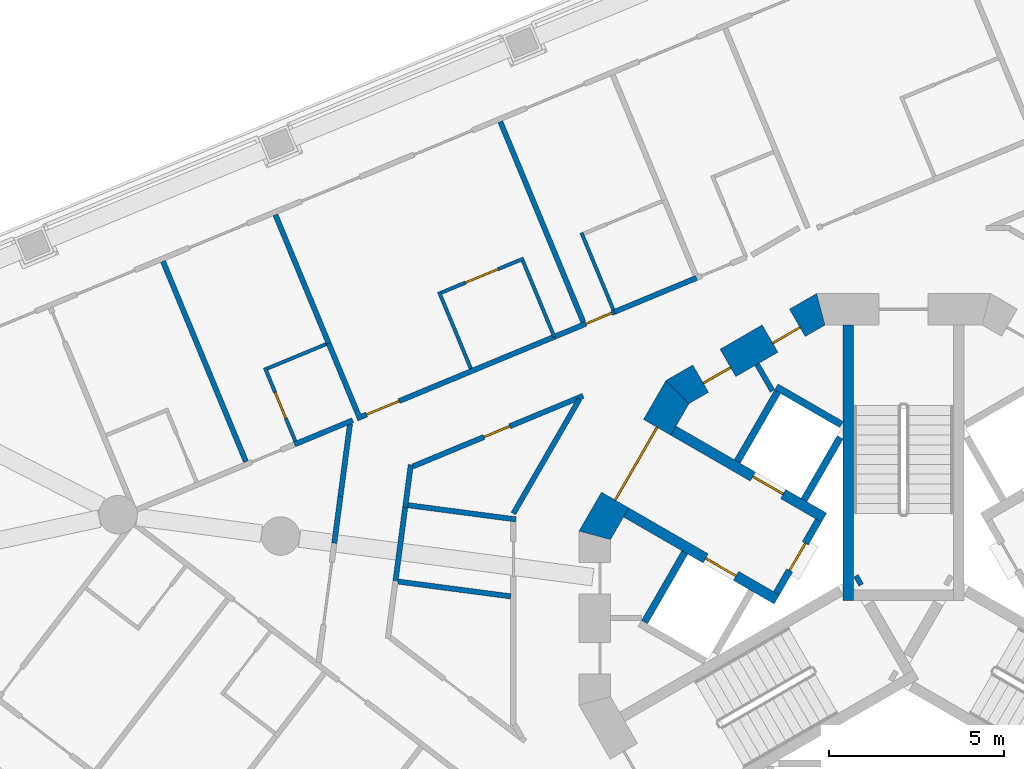
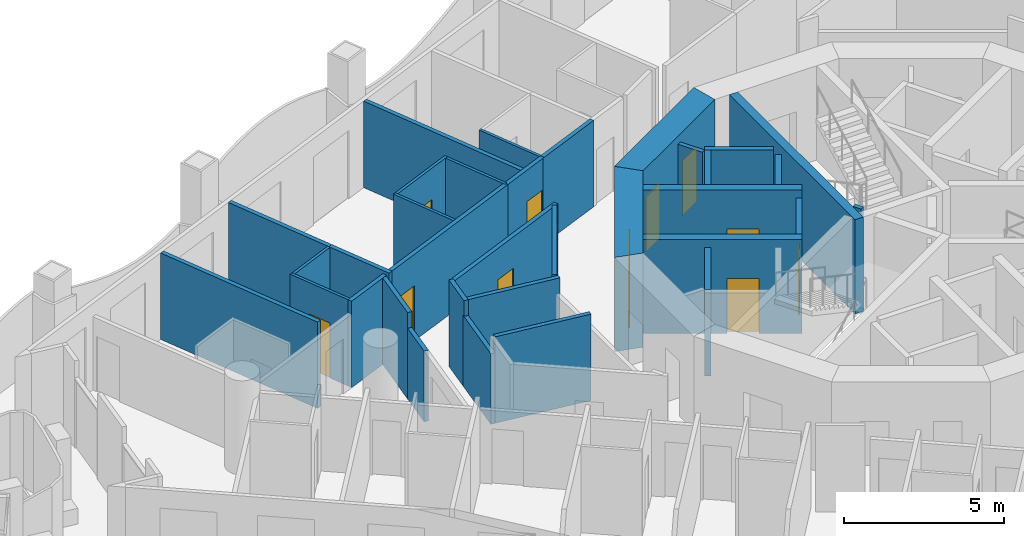
# One storey, part 7 of 18: 34 walls, 11 doors, 11 openings.
"""IFC4 building model written with IfcOpenShell, lengths in metres."""

from ifc_helpers import new_model, si_unit, direction, frame, frame_2d, origin, place, context, subcontext, project, spatial, polyline, rectangle, outline, extrude, material, layer, layer_set, type_object, element, fill, save


model = new_model("IFC4")

# Units and contexts
model_context = context("Model", 3, precision=1e-05, world=origin(), true_north=direction((0.0, 1.0)))
body_context = subcontext(model_context, "Body", "Model", "MODEL_VIEW")
ifc_project = project(units=[si_unit("LENGTHUNIT", "METRE"), si_unit("AREAUNIT", "SQUARE_METRE"), si_unit("VOLUMEUNIT", "CUBIC_METRE"), si_unit("PLANEANGLEUNIT", "RADIAN"), si_unit("MASSUNIT", "GRAM", prefix="KILO")], contexts=[model_context])

# Site, building, storey
site_placement = place(None, origin())
site = spatial("IfcSite", under=ifc_project, at=site_placement, CompositionType="ELEMENT")
building_placement = place(site_placement, origin())
building = spatial("IfcBuilding", under=site, at=building_placement, Name="Trine Commons Tower", CompositionType="ELEMENT")
storey_placement = place(building_placement, frame((0.0, 0.0, 145.800048828125)))
storey = spatial("IfcBuildingStorey", under=building, at=storey_placement, Name="L37", CompositionType="ELEMENT", Elevation=145.800048828125)

# Wall
ifc_material_1 = material(Name="Plasterboard partition on steel studs", Category="steel")
ifc_layer_1 = layer(ifc_material_1, 0.14990234375)
ifc_layer_set_1 = layer_set([ifc_layer_1], Name="Plasterboard partition on steel studs")
wall_type_1 = type_object("IfcWallType", Name="Core room partition 150 mm, EI 60", PredefinedType="PARTITIONING", material=ifc_layer_set_1)
wall_1_placement = place(storey_placement, frame((75.81396484375, 69.7509765625, 0.0), z_axis=(0.0, 0.0, 1.0), x_axis=(0.499890179513, -0.866088799389, 0.0)))
element("IfcWall", 1, at=wall_1_placement, inside=storey, type_object=wall_type_1, Name="Core room partition L37", PredefinedType="PARTITIONING", context=body_context, shape_type="SweptSolid", body=[
    extrude(rectangle(XDim=0.882080078125, YDim=0.14990234375, at=frame_2d((0.44091796875, 0.0))), origin(), (0.0, 0.0, 1.0), 3.300048828125),
])

# Wall, opening, door
ifc_material_2 = material(Name="Fire-rated gypsum shaft wall system")
ifc_layer_2 = layer(ifc_material_2, 0.199951171875)
ifc_layer_set_2 = layer_set([ifc_layer_2], Name="Fire-rated gypsum shaft wall system")
wall_type_2 = type_object("IfcWallType", Name="Lobby end wall 200 mm, EI 120", PredefinedType="PARTITIONING", material=ifc_layer_set_2)
wall_2_placement = place(storey_placement, frame((77.569091796875, 65.2890625, 0.0), z_axis=(0.0, 0.0, 1.0), x_axis=(-0.50012165622, -0.865955154139, 0.0)))
wall_2 = element("IfcWall", 2, at=wall_2_placement, inside=storey, type_object=wall_type_2, Name="Lobby end wall L37", PredefinedType="PARTITIONING", context=body_context, shape_type="SweptSolid", body=[
    extrude(rectangle(XDim=2.39990234375, YDim=0.199951171875, at=frame_2d((1.199951171875, 0.0))), origin(), (0.0, 0.0, 1.0), 3.300048828125),
])
opening_1_placement = place(wall_2_placement, frame((0.749755859375, 0.0, 0.0)))
opening_1 = element("IfcOpeningElement", 3, at=opening_1_placement, cuts=wall_2, Name="Opening K12.07", PredefinedType="OPENING", context=body_context, shape_type="SweptSolid", body=[
    extrude(rectangle(XDim=0.89990234375, YDim=2.10009765625, at=frame_2d((0.449951171875, 1.050048828125))), frame((0.0, 0.10986328125, 0.0), z_axis=(0.0, -1.0, 0.0), x_axis=(1.0, 0.0, 0.0)), (0.0, 0.0, 1.0), 0.219970703125),
])
ifc_material_3 = material(Name="Steel door leaf, fire-rated", Category="steel")
door_type_1 = type_object("IfcDoorType", Name="Riser access door, single leaf 900 x 2100, FD60", OperationType="SINGLE_SWING_LEFT", PredefinedType="DOOR", material=ifc_material_3)
door_1_placement = place(opening_1_placement, frame((0.89990234375, 0.0, 0.0), z_axis=(0.0, 0.0, 1.0), x_axis=(-1.0, 0.0, 0.0)))
door_1 = element("IfcDoor", 4, at=door_1_placement, inside=storey, type_object=door_type_1, Name="Riser door, Mechanical riser L37", OperationType="SINGLE_SWING_RIGHT", OverallHeight=2.10009765625, OverallWidth=0.89990234375, PredefinedType="DOOR", context=body_context, shape_type="SweptSolid", body=[
    extrude(rectangle(XDim=0.89990234375, YDim=2.10009765625, at=frame_2d((0.449951171875, 1.050048828125))), frame((0.0, 0.02490234375, 0.0), z_axis=(0.0, -1.0, 0.0), x_axis=(1.0, 0.0, 0.0)), (0.0, 0.0, 1.0), 0.050048828125),
])
fill(opening_1, door_1)

ifc_material_4 = material(Name="Concrete C70/85", Category="concrete")
ifc_layer_3 = layer(ifc_material_4, 0.300048828125)
ifc_layer_set_3 = layer_set([ifc_layer_3], Name="Concrete C70/85")
wall_type_3 = type_object("IfcWallType", Name="RC shear wall 300 mm, C70/85", PredefinedType="SHEAR", material=ifc_layer_set_3)
wall_3_placement = place(storey_placement, frame((76.381103515625, 63.031005859375, 0.0), z_axis=(0.0, 0.0, 1.0), x_axis=(-0.866080953719, 0.499903772346, 0.0)))
wall_3 = element("IfcWall", 5, at=wall_3_placement, inside=storey, type_object=wall_type_3, Name="Core cross wall SWB-01 L37", PredefinedType="SHEAR", context=body_context, shape_type="SweptSolid", body=[
    extrude(rectangle(XDim=4.97314453125, YDim=0.300048828125, at=frame_2d((2.486572265625, 0.0))), origin(), (0.0, 0.0, 1.0), 3.599853515625),
])
opening_2_placement = place(wall_3_placement, frame((1.350341796875, 0.0, 0.0)))
opening_2 = element("IfcOpeningElement", 6, at=opening_2_placement, cuts=wall_3, Name="Opening LD7", PredefinedType="OPENING", context=body_context, shape_type="SweptSolid", body=[
    extrude(rectangle(XDim=1.0, YDim=2.10009765625, at=frame_2d((0.5, 1.050048828125))), frame((0.0, 0.159912109375, 0.0), z_axis=(0.0, -1.0, 0.0), x_axis=(1.0, 0.0, 0.0)), (0.0, 0.0, 1.0), 0.320068359375),
])
ifc_material_5 = material(Name="Stainless steel sliding door leaves", Category="steel")
door_type_2 = type_object("IfcDoorType", Name="Lift landing door, centre-opening sliding 1000 x 2100, FD90", OperationType="DOUBLE_DOOR_SLIDING", PredefinedType="DOOR", material=ifc_material_5)
door_2_placement = place(opening_2_placement, origin())
door_2 = element("IfcDoor", 7, at=door_2_placement, inside=storey, type_object=door_type_2, Name="Lift landing door HR3 L37", OperationType="DOUBLE_DOOR_SLIDING", OverallHeight=2.10009765625, OverallWidth=1.0, PredefinedType="DOOR", context=body_context, shape_type="SweptSolid", body=[
    extrude(rectangle(XDim=1.0, YDim=2.10009765625, at=frame_2d((0.5, 1.050048828125))), frame((0.0, 0.02490234375, 0.0), z_axis=(0.0, -1.0, 0.0), x_axis=(1.0, 0.0, 0.0)), (0.0, 0.0, 1.0), 0.050048828125),
])
fill(opening_2, door_2)

wall_4_placement = place(storey_placement, frame((77.73095703125, 65.368896484375, 0.0), z_axis=(0.0, 0.0, 1.0), x_axis=(-0.865983655544, 0.500072303102, 0.0)))
wall_4 = element("IfcWall", 8, at=wall_4_placement, inside=storey, type_object=wall_type_3, Name="Core cross wall SWB-02 L37", PredefinedType="SHEAR", context=body_context, shape_type="SweptSolid", body=[
    extrude(rectangle(XDim=4.973388671875, YDim=0.300048828125, at=frame_2d((2.48681640625, 0.0))), origin(), (0.0, 0.0, 1.0), 3.599853515625),
])
opening_3_placement = place(wall_4_placement, frame((1.3505859375, 0.0, 0.0)))
opening_3 = element("IfcOpeningElement", 9, at=opening_3_placement, cuts=wall_4, Name="Opening LD8", PredefinedType="OPENING", context=body_context, shape_type="SweptSolid", body=[
    extrude(rectangle(XDim=1.0, YDim=2.10009765625, at=frame_2d((0.5, 1.050048828125))), frame((0.0, 0.159912109375, 0.0), z_axis=(0.0, -1.0, 0.0), x_axis=(1.0, 0.0, 0.0)), (0.0, 0.0, 1.0), 0.320068359375),
])
door_3_placement = place(opening_3_placement, origin())
door_3 = element("IfcDoor", 10, at=door_3_placement, inside=storey, type_object=door_type_2, Name="Lift landing door HR4 L37", OperationType="DOUBLE_DOOR_SLIDING", OverallHeight=2.10009765625, OverallWidth=1.0, PredefinedType="DOOR", context=body_context, shape_type="SweptSolid", body=[
    extrude(rectangle(XDim=1.0, YDim=2.10009765625, at=frame_2d((0.5, 1.050048828125))), frame((0.0, 0.02490234375, 0.0), z_axis=(0.0, -1.0, 0.0), x_axis=(1.0, 0.0, 0.0)), (0.0, 0.0, 1.0), 0.050048828125),
])
fill(opening_3, door_3)

# Walls
wall_5_placement = place(storey_placement, frame((78.425048828125, 63.0009765625, 0.0), z_axis=(0.0, 0.0, 1.0), x_axis=(0.0, 1.0, 0.0)))
element("IfcWall", 11, at=wall_5_placement, inside=storey, type_object=wall_type_3, Name="Core cross wall SWB-08 L37", PredefinedType="SHEAR", context=body_context, shape_type="SweptSolid", body=[
    extrude(rectangle(XDim=7.8720703125, YDim=0.300048828125, at=frame_2d((3.93603515625, 0.0))), origin(), (0.0, 0.0, 1.0), 3.599853515625),
])
wall_6_placement = place(storey_placement, frame((78.779052734375, 63.614013671875, 0.0), z_axis=(0.0, 0.0, 1.0), x_axis=(-0.867737973955, -0.497021939713, 0.0)))
element("IfcWall", 12, at=wall_6_placement, inside=storey, type_object=wall_type_3, Name="Core cross wall SWB-09 L37", PredefinedType="SHEAR", context=body_context, shape_type="SweptSolid", body=[
    extrude(rectangle(XDim=0.14892578125, YDim=0.300048828125, at=frame_2d((0.074462890625, 0.0))), origin(), (0.0, 0.0, 1.0), 3.599853515625),
])

# Wall, openings, doors
ifc_layer_4 = layer(ifc_material_4, 0.89990234375)
ifc_layer_set_4 = layer_set([ifc_layer_4], Name="Concrete C70/85")
wall_type_4 = type_object("IfcWallType", Name="RC shear wall 900 mm, C70/85", PredefinedType="SHEAR", material=ifc_layer_set_4)
wall_7_placement = place(storey_placement, frame((77.740234375, 71.38330078125, 0.0), z_axis=(0.0, 0.0, 1.0), x_axis=(-0.866003133579, -0.500038571144, 0.0)))
wall_7 = element("IfcWall", 13, at=wall_7_placement, inside=storey, type_object=wall_type_4, Name="Core wall CWD-05 L37", PredefinedType="SHEAR", context=body_context, shape_type="SweptSolid", body=[
    extrude(outline(polyline([(0.0, -0.449951171875), (4.96923828125, -0.449951171875), (4.72802734375, 0.449951171875), (0.2412109375, 0.449951171875), (0.0, -0.449951171875)])), origin(), (0.0, 0.0, 1.0), 3.599853515625),
])
opening_4_placement = place(wall_7_placement, frame((0.89501953125, 0.0, 0.0)))
opening_4 = element("IfcOpeningElement", 14, at=opening_4_placement, cuts=wall_7, Name="Opening K12.14", PredefinedType="OPENING", context=body_context, shape_type="SweptSolid", body=[
    extrude(rectangle(XDim=0.89990234375, YDim=2.10009765625, at=frame_2d((0.449951171875, 1.050048828125))), frame((0.0, 0.4599609375, 0.0), z_axis=(0.0, -1.0, 0.0), x_axis=(1.0, 0.0, 0.0)), (0.0, 0.0, 1.0), 0.919921875),
])
opening_5_placement = place(wall_7_placement, frame((3.18408203125, 0.0, 0.0)))
opening_5 = element("IfcOpeningElement", 15, at=opening_5_placement, cuts=wall_7, Name="Opening K12.15", PredefinedType="OPENING", context=body_context, shape_type="SweptSolid", body=[
    extrude(rectangle(XDim=0.89990234375, YDim=2.10009765625, at=frame_2d((0.449951171875, 1.050048828125))), frame((0.0, 0.4599609375, 0.0), z_axis=(0.0, -1.0, 0.0), x_axis=(1.0, 0.0, 0.0)), (0.0, 0.0, 1.0), 0.919921875),
])
door_type_3 = type_object("IfcDoorType", Name="Core room door, single leaf 900 x 2100, FD30S", OperationType="SINGLE_SWING_LEFT", PredefinedType="DOOR", material=ifc_material_3)
door_4_placement = place(opening_4_placement, origin())
door_4 = element("IfcDoor", 16, at=door_4_placement, inside=storey, type_object=door_type_3, Name="Door to Cleaner's store L37", OperationType="SINGLE_SWING_LEFT", OverallHeight=2.10009765625, OverallWidth=0.89990234375, PredefinedType="DOOR", context=body_context, shape_type="SweptSolid", body=[
    extrude(rectangle(XDim=0.89990234375, YDim=2.10009765625, at=frame_2d((0.449951171875, 1.050048828125))), frame((0.0, 0.1748046875, 0.0), z_axis=(0.0, -1.0, 0.0), x_axis=(1.0, 0.0, 0.0)), (0.0, 0.0, 1.0), 0.050048828125),
])
fill(opening_4, door_4)
door_5_placement = place(opening_5_placement, origin())
door_5 = element("IfcDoor", 17, at=door_5_placement, inside=storey, type_object=door_type_3, Name="Door to Accessible WC L37", OperationType="SINGLE_SWING_RIGHT", OverallHeight=2.10009765625, OverallWidth=0.89990234375, PredefinedType="DOOR", context=body_context, shape_type="SweptSolid", body=[
    extrude(rectangle(XDim=0.89990234375, YDim=2.10009765625, at=frame_2d((0.449951171875, 1.050048828125))), frame((0.0, 0.1748046875, 0.0), z_axis=(0.0, -1.0, 0.0), x_axis=(1.0, 0.0, 0.0)), (0.0, 0.0, 1.0), 0.050048828125),
])
fill(opening_5, door_5)

# Wall, opening, door
wall_8_placement = place(storey_placement, frame((73.6015625, 69.063232421875, 0.0), z_axis=(0.0, 0.0, 1.0), x_axis=(-0.500038571144, -0.866003133579, 0.0)))
wall_8 = element("IfcWall", 18, at=wall_8_placement, inside=storey, type_object=wall_type_4, Name="Core wall CWD-06 L37", PredefinedType="SHEAR", context=body_context, shape_type="SweptSolid", body=[
    extrude(outline(polyline([(0.0, -0.449951171875), (4.96923828125, -0.449951171875), (4.72802734375, 0.449951171875), (0.2412109375, 0.449951171875), (0.0, -0.449951171875)])), origin(), (0.0, 0.0, 1.0), 3.599853515625),
])
opening_6_placement = place(wall_8_placement, frame((1.28466796875, 0.0, 0.0)))
opening_6 = element("IfcOpeningElement", 19, at=opening_6_placement, cuts=wall_8, Name="Opening K12.06", PredefinedType="OPENING", context=body_context, shape_type="SweptSolid", body=[
    extrude(rectangle(XDim=2.39990234375, YDim=2.10009765625, at=frame_2d((1.199951171875, 1.050048828125))), frame((0.0, 0.4599609375, 0.0), z_axis=(0.0, -1.0, 0.0), x_axis=(1.0, 0.0, 0.0)), (0.0, 0.0, 1.0), 0.919921875),
])
ifc_material_6 = material(Name="Steel door leaves, fire-rated", Category="steel")
door_type_4 = type_object("IfcDoorType", Name="Lobby door, double leaf 2400 x 2100, FD60", OperationType="DOUBLE_DOOR_SINGLE_SWING", PredefinedType="DOOR", material=ifc_material_6)
door_6_placement = place(opening_6_placement, origin())
door_6 = element("IfcDoor", 20, at=door_6_placement, inside=storey, type_object=door_type_4, Name="Lobby door, Passenger lift lobby B L37", OperationType="DOUBLE_DOOR_SINGLE_SWING", OverallHeight=2.10009765625, OverallWidth=2.39990234375, PredefinedType="DOOR", context=body_context, shape_type="SweptSolid", body=[
    extrude(rectangle(XDim=2.39990234375, YDim=2.10009765625, at=frame_2d((1.199951171875, 1.050048828125))), frame((0.0, 0.02490234375, 0.0), z_axis=(0.0, -1.0, 0.0), x_axis=(1.0, 0.0, 0.0)), (0.0, 0.0, 1.0), 0.050048828125),
])
fill(opening_6, door_6)

# Walls
ifc_layer_5 = layer(ifc_material_2, 0.199951171875)
ifc_layer_set_5 = layer_set([ifc_layer_5], Name="Fire-rated gypsum shaft wall system")
wall_type_5 = type_object("IfcWallType", Name="Shaft wall 200 mm, EI 120", PredefinedType="PARTITIONING", material=ifc_layer_set_5)
for number, where, z_axis, x_axis, name in (
    (21, (73.7509765625, 64.3759765625, 0.0), (0.0, 0.0, 1.0), (-0.500136062276, -0.86594683394, 0.0), "Shaft wall L37"),
    (22, (75.2509765625, 66.97412109375, 0.0), (0.0, 0.0, 1.0), (0.500136062276, 0.86594683394, 0.0), "Shaft wall L37"),
):
    element("IfcWall", number, at=place(storey_placement, frame(where, z_axis=z_axis, x_axis=x_axis)), inside=storey, type_object=wall_type_5, Name=name, PredefinedType="PARTITIONING", context=body_context, shape_type="SweptSolid", body=[
        extrude(rectangle(XDim=2.299072265625, YDim=0.199951171875, at=frame_2d((1.1494140625, 0.0))), origin(), (0.0, 0.0, 1.0), 3.300048828125),
    ])
wall_9_placement = place(storey_placement, frame((77.156005859375, 65.8740234375, 0.0), z_axis=(0.0, 0.0, 1.0), x_axis=(0.499865770674, 0.866102887253, 0.0)))
element("IfcWall", 23, at=wall_9_placement, inside=storey, type_object=wall_type_5, Name="Shaft wall L37", PredefinedType="PARTITIONING", context=body_context, shape_type="SweptSolid", body=[
    extrude(rectangle(XDim=2.064453125, YDim=0.199951171875, at=frame_2d((1.0322265625, 0.0))), origin(), (0.0, 0.0, 1.0), 3.300048828125),
])
wall_10_placement = place(storey_placement, frame((78.22509765625, 68.028076171875, 0.0), z_axis=(0.0, 0.0, 1.0), x_axis=(-0.866130725101, 0.499817533742, 0.0)))
element("IfcWall", 24, at=wall_10_placement, inside=storey, type_object=wall_type_5, Name="Shaft wall L37", PredefinedType="PARTITIONING", context=body_context, shape_type="SweptSolid", body=[
    extrude(rectangle(XDim=2.148681640625, YDim=0.199951171875, at=frame_2d((1.07421875, 0.0))), origin(), (0.0, 0.0, 1.0), 3.300048828125),
])
ifc_material_7 = material(Name="Gypsum plasterboard on steel stud", Category="steel")
ifc_layer_6 = layer(ifc_material_7, 0.14990234375)
ifc_layer_set_6 = layer_set([ifc_layer_6], Name="Gypsum plasterboard on steel stud")
wall_type_6 = type_object("IfcWallType", Name="Unit and corridor wall 150 mm, EI 60", PredefinedType="PARTITIONING", material=ifc_layer_set_6)
wall_11_placement = place(storey_placement, frame((58.84130859375, 72.69189453125, 0.0), z_axis=(0.0, 0.0, 1.0), x_axis=(0.382610562407, -0.923909712869, 0.0)))
element("IfcWall", 25, at=wall_11_placement, inside=storey, type_object=wall_type_6, Name="Partition 009", PredefinedType="PARTITIONING", context=body_context, shape_type="SweptSolid", body=[
    extrude(rectangle(XDim=6.19384765625, YDim=0.14990234375, at=frame_2d((3.096923828125, 0.0))), origin(), (0.0, 0.0, 1.0), 3.300048828125),
])
wall_12_placement = place(storey_placement, frame((62.05322265625, 74.02197265625, 0.0), z_axis=(0.0, 0.0, 1.0), x_axis=(0.382954845834, -0.923767062658, 0.0)))
element("IfcWall", 26, at=wall_12_placement, inside=storey, type_object=wall_type_6, Name="Partition 016", PredefinedType="PARTITIONING", context=body_context, shape_type="SweptSolid", body=[
    extrude(rectangle(XDim=3.968505859375, YDim=0.14990234375, at=frame_2d((1.984375, 0.0))), origin(), (0.0, 0.0, 1.0), 3.300048828125),
])
wall_13_placement = place(storey_placement, frame((62.600830078125, 67.462890625, 0.0), z_axis=(0.0, 0.0, 1.0), x_axis=(0.923849795108, 0.382755216919, 0.0)))
element("IfcWall", 27, at=wall_13_placement, inside=storey, type_object=wall_type_6, Name="Partition 019", PredefinedType="PARTITIONING", context=body_context, shape_type="SweptSolid", body=[
    extrude(rectangle(XDim=1.79931640625, YDim=0.14990234375, at=frame_2d((0.899658203125, 0.0))), origin(), (0.0, 0.0, 1.0), 3.300048828125),
])
wall_14_placement = place(storey_placement, frame((63.572998046875, 70.35595703125, 0.0), z_axis=(0.0, 0.0, 1.0), x_axis=(0.382599946008, -0.923914109274, 0.0)))
element("IfcWall", 28, at=wall_14_placement, inside=storey, type_object=wall_type_6, Name="Partition 021", PredefinedType="PARTITIONING", context=body_context, shape_type="SweptSolid", body=[
    extrude(rectangle(XDim=2.375, YDim=0.14990234375, at=frame_2d((1.1875, 0.0))), origin(), (0.0, 0.0, 1.0), 3.300048828125),
])
wall_15_placement = place(storey_placement, frame((63.736083984375, 64.64111328125, 0.0), z_axis=(0.0, 0.0, 1.0), x_axis=(0.129741998441, 0.991547786968, 0.0)))
element("IfcWall", 29, at=wall_15_placement, inside=storey, type_object=wall_type_6, Name="Partition 022", PredefinedType="PARTITIONING", context=body_context, shape_type="SweptSolid", body=[
    extrude(rectangle(XDim=1.347412109375, YDim=0.14990234375, at=frame_2d((0.673828125, 0.0))), origin(), (0.0, 0.0, 1.0), 2.699951171875),
])
wall_16_placement = place(storey_placement, frame((63.910888671875, 65.97705078125, 0.0), z_axis=(0.0, 0.0, 1.0), x_axis=(0.13074768898, 0.9914156756, 0.0)))
element("IfcWall", 30, at=wall_16_placement, inside=storey, type_object=wall_type_6, Name="Partition 023", PredefinedType="PARTITIONING", context=body_context, shape_type="SweptSolid", body=[
    extrude(rectangle(XDim=2.08935546875, YDim=0.14990234375, at=frame_2d((1.044677734375, 0.0))), origin(), (0.0, 0.0, 1.0), 3.300048828125),
])

# Wall, opening, door
wall_17_placement = place(storey_placement, frame((64.519287109375, 68.2578125, 0.0), z_axis=(0.0, 0.0, 1.0), x_axis=(0.923893003405, 0.382650909131, 0.0)))
wall_17 = element("IfcWall", 31, at=wall_17_placement, inside=storey, type_object=wall_type_6, Name="Partition 024", PredefinedType="PARTITIONING", context=body_context, shape_type="SweptSolid", body=[
    extrude(rectangle(XDim=5.959228515625, YDim=0.14990234375, at=frame_2d((2.9794921875, 0.0))), origin(), (0.0, 0.0, 1.0), 3.300048828125),
])
opening_7_placement = place(wall_17_placement, frame((0.14990234375, 0.0, 0.0)))
opening_7 = element("IfcOpeningElement", 32, at=opening_7_placement, cuts=wall_17, Name="Opening D-4C07", PredefinedType="OPENING", context=body_context, shape_type="SweptSolid", body=[
    extrude(rectangle(XDim=1.0, YDim=2.10009765625, at=frame_2d((0.5, 1.050048828125))), frame((0.0, 0.0849609375, 0.0), z_axis=(0.0, -1.0, 0.0), x_axis=(1.0, 0.0, 0.0)), (0.0, 0.0, 1.0), 0.169921875),
])
ifc_material_8 = material(Name="Timber fire door set", Category="wood")
door_type_5 = type_object("IfcDoorType", Name="Bedroom door 1000 x 2100, FD30S", OperationType="NOTDEFINED", PredefinedType="DOOR", material=ifc_material_8)
door_7_placement = place(opening_7_placement, origin())
door_7 = element("IfcDoor", 33, at=door_7_placement, inside=storey, type_object=door_type_5, Name="Door D-4C07", OperationType="SINGLE_SWING_LEFT", OverallHeight=2.10009765625, OverallWidth=1.0, PredefinedType="DOOR", context=body_context, shape_type="SweptSolid", body=[
    extrude(rectangle(XDim=1.0, YDim=2.10009765625, at=frame_2d((0.5, 1.050048828125))), frame((0.0, 0.02490234375, 0.0), z_axis=(0.0, -1.0, 0.0), x_axis=(1.0, 0.0, 0.0)), (0.0, 0.0, 1.0), 0.050048828125),
])
fill(opening_7, door_7)

# Walls
wall_18_placement = place(storey_placement, frame((65.47314453125, 63.4755859375, 0.0), z_axis=(0.0, 0.0, 1.0), x_axis=(0.130468344309, 0.991452475479, 0.0)))
element("IfcWall", 34, at=wall_18_placement, inside=storey, type_object=wall_type_6, Name="Partition 030", PredefinedType="PARTITIONING", context=body_context, shape_type="SweptSolid", body=[
    extrude(rectangle(XDim=2.282958984375, YDim=0.14990234375, at=frame_2d((1.1416015625, 0.0))), origin(), (0.0, 0.0, 1.0), 2.699951171875),
])
wall_19_placement = place(storey_placement, frame((65.558349609375, 63.544189453125, 0.0), z_axis=(0.0, 0.0, 1.0), x_axis=(0.991425096487, -0.13067623371, 0.0)))
element("IfcWall", 35, at=wall_19_placement, inside=storey, type_object=wall_type_6, Name="Partition 031", PredefinedType="PARTITIONING", context=body_context, shape_type="SweptSolid", body=[
    extrude(rectangle(XDim=3.2470703125, YDim=0.14990234375, at=frame_2d((1.62353515625, 0.0))), origin(), (0.0, 0.0, 1.0), 3.300048828125),
])
wall_20_placement = place(storey_placement, frame((65.76025390625, 65.656494140625, 0.0), z_axis=(0.0, 0.0, 1.0), x_axis=(0.131022785859, 0.99137935705, 0.0)))
element("IfcWall", 36, at=wall_20_placement, inside=storey, type_object=wall_type_6, Name="Partition 032", PredefinedType="PARTITIONING", context=body_context, shape_type="SweptSolid", body=[
    extrude(rectangle(XDim=1.233642578125, YDim=0.14990234375, at=frame_2d((0.61669921875, 0.0))), origin(), (0.0, 0.0, 1.0), 3.300048828125),
])
wall_21_placement = place(storey_placement, frame((65.845458984375, 65.72509765625, 0.0), z_axis=(0.0, 0.0, 1.0), x_axis=(0.991429142169, -0.130645535929, 0.0)))
element("IfcWall", 37, at=wall_21_placement, inside=storey, type_object=wall_type_6, Name="Partition 033", PredefinedType="PARTITIONING", context=body_context, shape_type="SweptSolid", body=[
    extrude(rectangle(XDim=3.107666015625, YDim=0.14990234375, at=frame_2d((1.5537109375, 0.0))), origin(), (0.0, 0.0, 1.0), 3.300048828125),
])

# Wall, opening, door
wall_22_placement = place(storey_placement, frame((65.981201171875, 66.833740234375, 0.0), z_axis=(0.0, 0.0, 1.0), x_axis=(0.923830903719, 0.382800811563, 0.0)))
wall_22 = element("IfcWall", 38, at=wall_22_placement, inside=storey, type_object=wall_type_6, Name="Partition 034", PredefinedType="PARTITIONING", context=body_context, shape_type="SweptSolid", body=[
    extrude(rectangle(XDim=5.26611328125, YDim=0.14990234375, at=frame_2d((2.633056640625, 0.0))), origin(), (0.0, 0.0, 1.0), 3.300048828125),
])
opening_8_placement = place(wall_22_placement, frame((2.195556640625, 0.0, 0.0)))
opening_8 = element("IfcOpeningElement", 39, at=opening_8_placement, cuts=wall_22, Name="Opening D-4C36", PredefinedType="OPENING", context=body_context, shape_type="SweptSolid", body=[
    extrude(rectangle(XDim=0.800048828125, YDim=2.10009765625, at=frame_2d((0.39990234375, 1.050048828125))), frame((0.0, 0.0849609375, 0.0), z_axis=(0.0, -1.0, 0.0), x_axis=(1.0, 0.0, 0.0)), (0.0, 0.0, 1.0), 0.169921875),
])
ifc_material_9 = material(Name="Painted timber", Category="wood")
door_type_6 = type_object("IfcDoorType", Name="Toilet door 800 x 2100, NOT RATED", OperationType="NOTDEFINED", PredefinedType="DOOR", material=ifc_material_9)
door_8_placement = place(opening_8_placement, frame((0.800048828125, 0.0, 0.0), z_axis=(0.0, 0.0, 1.0), x_axis=(-1.0, 0.0, 0.0)))
door_8 = element("IfcDoor", 40, at=door_8_placement, inside=storey, type_object=door_type_6, Name="Door D-4C36", OperationType="SINGLE_SWING_RIGHT", OverallHeight=2.10009765625, OverallWidth=0.800048828125, PredefinedType="DOOR", context=body_context, shape_type="SweptSolid", body=[
    extrude(rectangle(XDim=0.800048828125, YDim=2.10009765625, at=frame_2d((0.39990234375, 1.050048828125))), frame((0.0, 0.02490234375, 0.0), z_axis=(0.0, -1.0, 0.0), x_axis=(1.0, 0.0, 0.0)), (0.0, 0.0, 1.0), 0.050048828125),
])
fill(opening_8, door_8)

# Walls
wall_23_placement = place(storey_placement, frame((68.479248046875, 76.68408203125, 0.0), z_axis=(0.0, 0.0, 1.0), x_axis=(0.382630273673, -0.923901549771, 0.0)))
element("IfcWall", 41, at=wall_23_placement, inside=storey, type_object=wall_type_6, Name="Partition 039", PredefinedType="PARTITIONING", context=body_context, shape_type="SweptSolid", body=[
    extrude(rectangle(XDim=6.1943359375, YDim=0.14990234375, at=frame_2d((3.09716796875, 0.0))), origin(), (0.0, 0.0, 1.0), 3.300048828125),
])
wall_24_placement = place(storey_placement, frame((68.85205078125, 65.487060546875, 0.0), z_axis=(0.0, 0.0, 1.0), x_axis=(0.500065504582, 0.865987581393, 0.0)))
element("IfcWall", 42, at=wall_24_placement, inside=storey, type_object=wall_type_6, Name="Partition 044", PredefinedType="PARTITIONING", context=body_context, shape_type="SweptSolid", body=[
    extrude(rectangle(XDim=3.7783203125, YDim=0.14990234375, at=frame_2d((1.88916015625, 0.0))), origin(), (0.0, 0.0, 1.0), 3.300048828125),
])

# Wall, opening, door
wall_25_placement = place(storey_placement, frame((70.01806640625, 70.534912109375, 0.0), z_axis=(0.0, 0.0, 1.0), x_axis=(0.923823521245, 0.382818627544, 0.0)))
wall_25 = element("IfcWall", 43, at=wall_25_placement, inside=storey, type_object=wall_type_6, Name="Partition 046", PredefinedType="PARTITIONING", context=body_context, shape_type="SweptSolid", body=[
    extrude(rectangle(XDim=1.86279296875, YDim=0.14990234375, at=frame_2d((0.931396484375, 0.0))), origin(), (0.0, 0.0, 1.0), 3.300048828125),
])
opening_9_placement = place(wall_25_placement, frame((0.981201171875, 0.0, 0.0)))
opening_9 = element("IfcOpeningElement", 44, at=opening_9_placement, cuts=wall_25, Name="Opening D-4C08", PredefinedType="OPENING", context=body_context, shape_type="SweptSolid", body=[
    extrude(rectangle(XDim=0.800048828125, YDim=2.10009765625, at=frame_2d((0.39990234375, 1.050048828125))), frame((0.0, 0.0849609375, 0.0), z_axis=(0.0, -1.0, 0.0), x_axis=(1.0, 0.0, 0.0)), (0.0, 0.0, 1.0), 0.169921875),
])
door_type_7 = type_object("IfcDoorType", Name="Bedroom door 800 x 2100, FD30S", OperationType="NOTDEFINED", PredefinedType="DOOR", material=ifc_material_8)
door_9_placement = place(opening_9_placement, origin())
door_9 = element("IfcDoor", 45, at=door_9_placement, inside=storey, type_object=door_type_7, Name="Door D-4C08", OperationType="SINGLE_SWING_RIGHT", OverallHeight=2.10009765625, OverallWidth=0.800048828125, PredefinedType="DOOR", context=body_context, shape_type="SweptSolid", body=[
    extrude(rectangle(XDim=0.800048828125, YDim=2.10009765625, at=frame_2d((0.39990234375, 1.050048828125))), frame((0.0, 0.02490234375, 0.0), z_axis=(0.0, -1.0, 0.0), x_axis=(1.0, 0.0, 0.0)), (0.0, 0.0, 1.0), 0.050048828125),
])
fill(opening_9, door_9)

# Wall
wall_26_placement = place(storey_placement, frame((71.685791015625, 71.225830078125, 0.0), z_axis=(0.0, 0.0, 1.0), x_axis=(0.923828532821, 0.38280653331, 0.0)))
element("IfcWall", 46, at=wall_26_placement, inside=storey, type_object=wall_type_6, Name="Partition 051", PredefinedType="PARTITIONING", context=body_context, shape_type="SweptSolid", body=[
    extrude(rectangle(XDim=2.60791015625, YDim=0.14990234375, at=frame_2d((1.303955078125, 0.0))), origin(), (0.0, 0.0, 1.0), 3.300048828125),
])

# Wall, opening, door
ifc_layer_7 = layer(ifc_material_7, 0.10009765625)
ifc_layer_set_7 = layer_set([ifc_layer_7], Name="Gypsum plasterboard on steel stud")
wall_type_7 = type_object("IfcWallType", Name="Unit partition 100 mm, no rating", PredefinedType="PARTITIONING", material=ifc_layer_set_7)
wall_27_placement = place(storey_placement, frame((61.751953125, 69.6552734375, 0.0), z_axis=(0.0, 0.0, 1.0), x_axis=(0.382557141415, -0.923931833824, 0.0)))
wall_27 = element("IfcWall", 47, at=wall_27_placement, inside=storey, type_object=wall_type_7, Name="Partition 014", PredefinedType="PARTITIONING", context=body_context, shape_type="SweptSolid", body=[
    extrude(rectangle(XDim=2.275146484375, YDim=0.10009765625, at=frame_2d((1.1376953125, 0.0))), origin(), (0.0, 0.0, 1.0), 3.300048828125),
])
opening_10_placement = place(wall_27_placement, frame((0.7626953125, 0.0, 0.0)))
opening_10 = element("IfcOpeningElement", 48, at=opening_10_placement, cuts=wall_27, Name="Opening D-4C39", PredefinedType="OPENING", context=body_context, shape_type="SweptSolid", body=[
    extrude(rectangle(XDim=0.800048828125, YDim=2.10009765625, at=frame_2d((0.39990234375, 1.050048828125))), frame((0.0, 0.06005859375, 0.0), z_axis=(0.0, -1.0, 0.0), x_axis=(1.0, 0.0, 0.0)), (0.0, 0.0, 1.0), 0.1201171875),
])
door_type_8 = type_object("IfcDoorType", Name="Internal door 800 x 2100, NOT RATED", OperationType="NOTDEFINED", PredefinedType="DOOR", material=ifc_material_9)
door_10_placement = place(opening_10_placement, frame((0.800048828125, 0.0, 0.0), z_axis=(0.0, 0.0, 1.0), x_axis=(-1.0, 0.0, 0.0)))
door_10 = element("IfcDoor", 49, at=door_10_placement, inside=storey, type_object=door_type_8, Name="Door D-4C39", OperationType="SINGLE_SWING_LEFT", OverallHeight=2.10009765625, OverallWidth=0.800048828125, PredefinedType="DOOR", context=body_context, shape_type="SweptSolid", body=[
    extrude(rectangle(XDim=0.800048828125, YDim=2.10009765625, at=frame_2d((0.39990234375, 1.050048828125))), frame((0.0, 0.02490234375, 0.0), z_axis=(0.0, -1.0, 0.0), x_axis=(1.0, 0.0, 0.0)), (0.0, 0.0, 1.0), 0.050048828125),
])
fill(opening_10, door_10)

# Walls
wall_28_placement = place(storey_placement, frame((61.817138671875, 69.628173828125, 0.0), z_axis=(0.0, 0.0, 1.0), x_axis=(0.923755960388, 0.382981625731, 0.0)))
element("IfcWall", 50, at=wall_28_placement, inside=storey, type_object=wall_type_7, Name="Partition 015", PredefinedType="PARTITIONING", context=body_context, shape_type="SweptSolid", body=[
    extrude(rectangle(XDim=1.82568359375, YDim=0.10009765625, at=frame_2d((0.912841796875, 0.0))), origin(), (0.0, 0.0, 1.0), 3.300048828125),
])
wall_29_placement = place(storey_placement, frame((66.727783203125, 71.8251953125, 0.0), z_axis=(0.0, 0.0, 1.0), x_axis=(0.382439544187, -0.923980516592, 0.0)))
element("IfcWall", 51, at=wall_29_placement, inside=storey, type_object=wall_type_7, Name="Partition 036", PredefinedType="PARTITIONING", context=body_context, shape_type="SweptSolid", body=[
    extrude(rectangle(XDim=2.37548828125, YDim=0.10009765625, at=frame_2d((1.187744140625, 0.0))), origin(), (0.0, 0.0, 1.0), 3.300048828125),
])

# Wall, opening, door
wall_30_placement = place(storey_placement, frame((66.793212890625, 71.798095703125, 0.0), z_axis=(0.0, 0.0, 1.0), x_axis=(0.923851127546, 0.382752000821, 0.0)))
wall_30 = element("IfcWall", 52, at=wall_30_placement, inside=storey, type_object=wall_type_7, Name="Partition 037", PredefinedType="PARTITIONING", context=body_context, shape_type="SweptSolid", body=[
    extrude(rectangle(XDim=2.550048828125, YDim=0.10009765625, at=frame_2d((1.27490234375, 0.0))), origin(), (0.0, 0.0, 1.0), 3.300048828125),
])
opening_11_placement = place(wall_30_placement, frame((0.75, 0.0, 0.0)))
opening_11 = element("IfcOpeningElement", 53, at=opening_11_placement, cuts=wall_30, Name="Opening D-4C40", PredefinedType="OPENING", context=body_context, shape_type="SweptSolid", body=[
    extrude(rectangle(XDim=1.0, YDim=2.10009765625, at=frame_2d((0.5, 1.050048828125))), frame((0.0, 0.06005859375, 0.0), z_axis=(0.0, -1.0, 0.0), x_axis=(1.0, 0.0, 0.0)), (0.0, 0.0, 1.0), 0.1201171875),
])
door_type_9 = type_object("IfcDoorType", Name="Internal door 1000 x 2100, NOT RATED", OperationType="NOTDEFINED", PredefinedType="DOOR", material=ifc_material_9)
door_11_placement = place(opening_11_placement, origin())
door_11 = element("IfcDoor", 54, at=door_11_placement, inside=storey, type_object=door_type_9, Name="Door D-4C40", OperationType="SINGLE_SWING_LEFT", OverallHeight=2.10009765625, OverallWidth=1.0, PredefinedType="DOOR", context=body_context, shape_type="SweptSolid", body=[
    extrude(rectangle(XDim=1.0, YDim=2.10009765625, at=frame_2d((0.5, 1.050048828125))), frame((0.0, 0.02490234375, 0.0), z_axis=(0.0, -1.0, 0.0), x_axis=(1.0, 0.0, 0.0)), (0.0, 0.0, 1.0), 0.050048828125),
])
fill(opening_11, door_11)

# Walls
wall_31_placement = place(storey_placement, frame((69.1220703125, 72.708740234375, 0.0), z_axis=(0.0, 0.0, 1.0), x_axis=(0.382468003231, -0.923968736757, 0.0)))
element("IfcWall", 55, at=wall_31_placement, inside=storey, type_object=wall_type_7, Name="Partition 045", PredefinedType="PARTITIONING", context=body_context, shape_type="SweptSolid", body=[
    extrude(rectangle(XDim=2.350341796875, YDim=0.10009765625, at=frame_2d((1.17529296875, 0.0))), origin(), (0.0, 0.0, 1.0), 3.300048828125),
])
wall_32_placement = place(storey_placement, frame((70.796875, 73.51025390625, 0.0), z_axis=(0.0, 0.0, 1.0), x_axis=(0.382935858865, -0.923774933626, 0.0)))
element("IfcWall", 56, at=wall_32_placement, inside=storey, type_object=wall_type_7, Name="Partition 048", PredefinedType="PARTITIONING", context=body_context, shape_type="SweptSolid", body=[
    extrude(rectangle(XDim=2.374755859375, YDim=0.10009765625, at=frame_2d((1.1875, 0.0))), origin(), (0.0, 0.0, 1.0), 3.300048828125),
])

save(model, "model.ifc")
